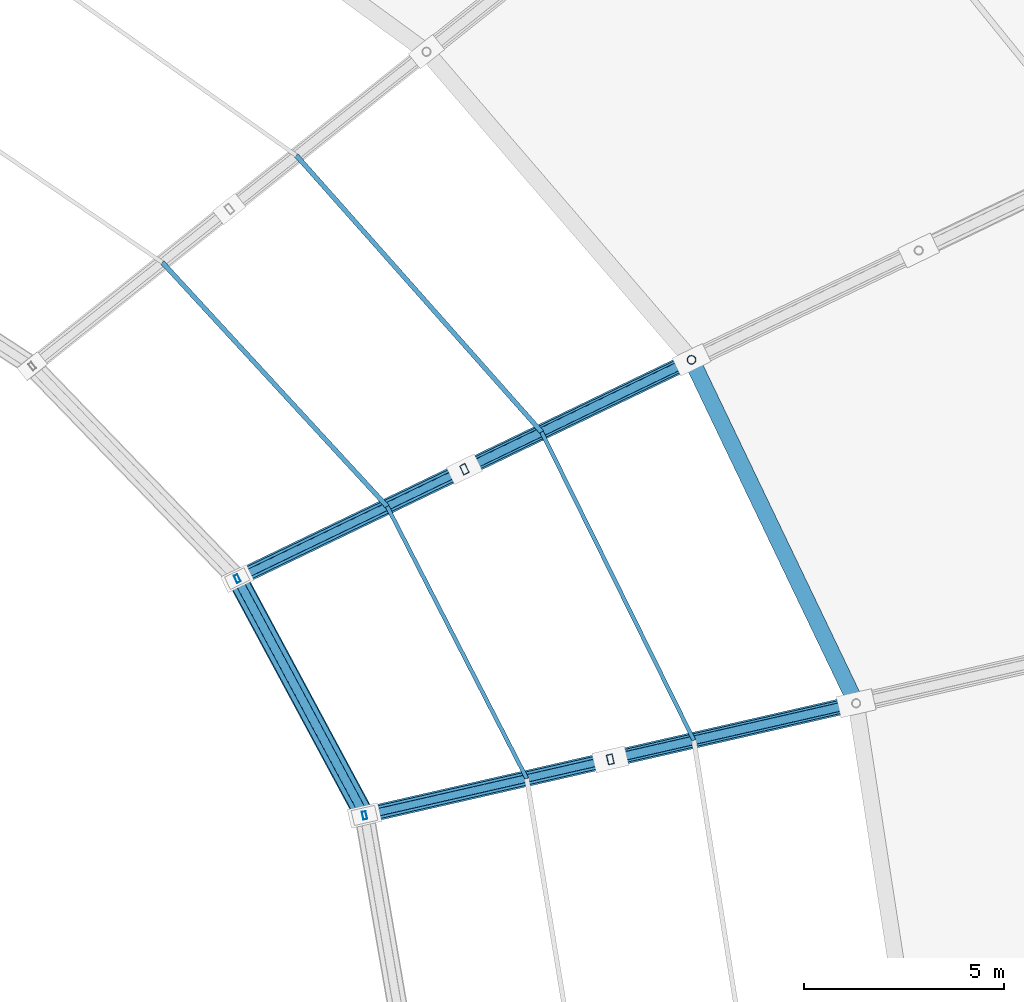
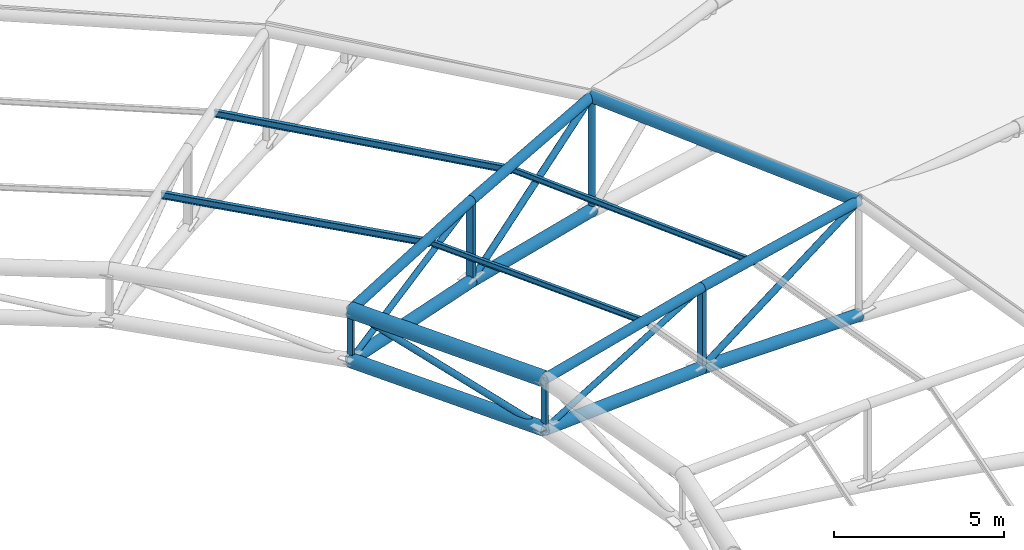
# One storey, part 72 of 108: 25 members.
"""IFC4 building model written with IfcOpenShell, lengths in metres."""

from ifc_helpers import new_model, si_unit, direction, frame, origin, origin_2d, place, context, subcontext, project, spatial, hollow_rectangle, hollow_circle, i_section, extrude, material, material_profile, profile_set, type_object, element, save


model = new_model("IFC4")

# Units and contexts
model_context = context("Model", 3, precision=1e-05, world=origin(), true_north=direction((0.0, 1.0)))
body_context = subcontext(model_context, "Body", "Model", "MODEL_VIEW")
ifc_project = project(units=[si_unit("LENGTHUNIT", "METRE"), si_unit("AREAUNIT", "SQUARE_METRE"), si_unit("VOLUMEUNIT", "CUBIC_METRE"), si_unit("PLANEANGLEUNIT", "RADIAN"), si_unit("MASSUNIT", "GRAM", prefix="KILO")], contexts=[model_context])

# Site, building, storey
site_placement = place(None, origin())
site = spatial("IfcSite", under=ifc_project, at=site_placement, CompositionType="ELEMENT")
building_placement = place(site_placement, origin())
building = spatial("IfcBuilding", under=site, at=building_placement, Name="Zevraka Park Crest Stadium", CompositionType="ELEMENT")
storey_placement = place(building_placement, frame((0.0, 0.0, 29.39990234375)))
storey = spatial("IfcBuildingStorey", under=building, at=storey_placement, Name="RF", CompositionType="ELEMENT", Elevation=29.39990234375)

# Members
ifc_material_1 = material(Name="Steel S355", Category="steel")
ifc_material_profile_1 = material_profile(ifc_material_1, i_section(OverallWidth=0.1201171875, OverallDepth=0.239990234375, WebThickness=0.006103515625, FlangeThickness=0.009765625, at=origin_2d()), Name="IPE 240")
ifc_profile_set_1 = profile_set([ifc_material_profile_1], Name="Steel S355")
member_type_1 = type_object("IfcMemberType", Name="PR01", PredefinedType="PURLIN", material=ifc_profile_set_1)
member_1_placement = place(storey_placement, frame((158.347900390625, 107.81201171875, 9.153076171875), z_axis=(-0.663562824721, 0.748120563578, 0.0), x_axis=(-0.748120563578, -0.663562824721, 0.0)))
element("IfcMember", 1, at=member_1_placement, inside=storey, type_object=member_type_1, Name="Canopy Roof Purlin PR01 INNER-03-1", PredefinedType="PURLIN", context=body_context, shape_type="SweptSolid", body=[
    extrude(i_section(OverallWidth=0.1201171875, OverallDepth=0.239990234375, WebThickness=0.006103515625, FlangeThickness=0.009765625, at=origin_2d()), origin(), (0.0, 0.0, 1.0), 9.236328125),
])
member_2_placement = place(storey_placement, frame((154.488037109375, 105.952880859375, 9.01708984375), z_axis=(-0.677613259557, 0.735418432236, 0.0), x_axis=(-0.735418432236, -0.677613259557, 0.0)))
element("IfcMember", 2, at=member_2_placement, inside=storey, type_object=member_type_1, Name="Canopy Roof Purlin PR01 INNER-03-2", PredefinedType="PURLIN", context=body_context, shape_type="SweptSolid", body=[
    extrude(i_section(OverallWidth=0.1201171875, OverallDepth=0.239990234375, WebThickness=0.006103515625, FlangeThickness=0.009765625, at=origin_2d()), origin(), (0.0, 0.0, 1.0), 8.290771484375),
])
ifc_material_2 = material(Name="Steel S355", Category="steel")
ifc_material_profile_2 = material_profile(ifc_material_2, i_section(OverallWidth=0.10009765625, OverallDepth=0.199951171875, WebThickness=0.005615234375, FlangeThickness=0.008544921875, at=origin_2d()), Name="IPE 200")
ifc_profile_set_2 = profile_set([ifc_material_profile_2], Name="Steel S355")
member_type_2 = type_object("IfcMemberType", Name="PR03", PredefinedType="PURLIN", material=ifc_profile_set_2)
member_3_placement = place(storey_placement, frame((162.152099609375, 100.10888671875, 9.173095703125), z_axis=(-0.442797799381, 0.896621496989, 0.0), x_axis=(-0.896621496989, -0.442797799381, 0.0)))
element("IfcMember", 3, at=member_3_placement, inside=storey, type_object=member_type_2, Name="Canopy Roof Purlin PR03 INNER-02-1", PredefinedType="PURLIN", context=body_context, shape_type="SweptSolid", body=[
    extrude(i_section(OverallWidth=0.10009765625, OverallDepth=0.199951171875, WebThickness=0.005615234375, FlangeThickness=0.008544921875, at=origin_2d()), origin(), (0.0, 0.0, 1.0), 8.59130859375),
])
member_4_placement = place(storey_placement, frame((157.97607421875, 99.156005859375, 9.037109375), z_axis=(-0.456571603889, 0.889686669858, 0.0), x_axis=(-0.889686669858, -0.456571603889, 0.0)))
element("IfcMember", 4, at=member_4_placement, inside=storey, type_object=member_type_2, Name="Canopy Roof Purlin PR03 INNER-02-2", PredefinedType="PURLIN", context=body_context, shape_type="SweptSolid", body=[
    extrude(i_section(OverallWidth=0.10009765625, OverallDepth=0.199951171875, WebThickness=0.005615234375, FlangeThickness=0.008544921875, at=origin_2d()), origin(), (0.0, 0.0, 1.0), 7.6396484375),
])
ifc_material_3 = material(Name="Steel S355", Category="steel")
ifc_material_profile_3 = material_profile(ifc_material_3, hollow_circle(Radius=0.25390625, WallThickness=0.030029296875, at=origin_2d()), Name="CHS 508.0x30")
ifc_profile_set_3 = profile_set([ifc_material_profile_3], Name="Steel S355")
member_type_3 = type_object("IfcMemberType", Name="TC01", PredefinedType="CHORD", material=ifc_profile_set_3)
member_5_placement = place(storey_placement, frame((153.922119140625, 98.23095703125, 9.0), z_axis=(-0.473358528997, 0.880869855896, 0.0), x_axis=(-0.880869855896, -0.473358528997, 0.0)))
element("IfcMember", 5, at=member_5_placement, inside=storey, type_object=member_type_3, Name="Roof Inner Oculus Compression-Tension Ring TC01 02", PredefinedType="CHORD", context=body_context, shape_type="SweptSolid", body=[
    extrude(hollow_circle(Radius=0.25390625, WallThickness=0.030029296875, at=origin_2d()), origin(), (0.0, 0.0, 1.0), 6.71826171875),
])
ifc_material_4 = material(Name="Steel S355", Category="steel")
ifc_material_profile_4 = material_profile(ifc_material_4, hollow_circle(Radius=0.228515625, WallThickness=0.02490234375, at=origin_2d()), Name="CHS 457.0x25")
ifc_profile_set_4 = profile_set([ifc_material_profile_4], Name="Steel S355")
member_type_4 = type_object("IfcMemberType", Name="TC02", PredefinedType="CHORD", material=ifc_profile_set_4)
member_6_placement = place(storey_placement, frame((153.922119140625, 98.23095703125, 7.2001953125), z_axis=(-0.473358528997, 0.880869855896, 0.0), x_axis=(-0.880869855896, -0.473358528997, 0.0)))
element("IfcMember", 6, at=member_6_placement, inside=storey, type_object=member_type_4, Name="Roof Inner Oculus Bottom Ring TC02 02", PredefinedType="CHORD", context=body_context, shape_type="SweptSolid", body=[
    extrude(hollow_circle(Radius=0.228515625, WallThickness=0.02490234375, at=origin_2d()), origin(), (0.0, 0.0, 1.0), 6.71826171875),
])
ifc_material_5 = material(Name="Steel S355", Category="steel")
ifc_material_profile_5 = material_profile(ifc_material_5, hollow_circle(Radius=0.203125, WallThickness=0.02001953125, at=origin_2d()), Name="CHS 406.4x20")
ifc_profile_set_5 = profile_set([ifc_material_profile_5], Name="Steel S355")
member_type_5 = type_object("IfcMemberType", Name="TC03", PredefinedType="CHORD", material=ifc_profile_set_5)
member_7_placement = place(storey_placement, frame((166.2060546875, 101.033935546875, 5.300048828125), z_axis=(-0.960397219196, -0.219198697536, 0.172014860867), x_axis=(0.222515433667, -0.974929167571, 0.0)))
element("IfcMember", 7, at=member_7_placement, inside=storey, type_object=member_type_5, Name="Roof Truss Bottom Chord TC03 T02-6", PredefinedType="CHORD", context=body_context, shape_type="SweptSolid", body=[
    extrude(hollow_circle(Radius=0.203125, WallThickness=0.02001953125, at=origin_2d()), origin(), (0.0, 0.0, 1.0), 6.395263671875),
])
member_8_placement = place(storey_placement, frame((160.06396484375, 99.632080078125, 6.400146484375), z_axis=(-0.967183906339, -0.22064111136, 0.12598726641), x_axis=(0.222413332215, -0.97495246533, 0.0)))
element("IfcMember", 8, at=member_8_placement, inside=storey, type_object=member_type_5, Name="Roof Truss Bottom Chord TC03 T02-7", PredefinedType="CHORD", context=body_context, shape_type="SweptSolid", body=[
    extrude(hollow_circle(Radius=0.203125, WallThickness=0.02001953125, at=origin_2d()), origin(), (0.0, 0.0, 1.0), 6.350341796875),
])
member_9_placement = place(storey_placement, frame((162.093994140625, 109.615966796875, 5.300048828125), z_axis=(-0.887511721766, -0.427474569243, 0.172012895964), x_axis=(0.433942615061, -0.900940512373, 0.0)))
element("IfcMember", 9, at=member_9_placement, inside=storey, type_object=member_type_5, Name="Roof Truss Bottom Chord TC03 T03-6", PredefinedType="CHORD", context=body_context, shape_type="SweptSolid", body=[
    extrude(hollow_circle(Radius=0.203125, WallThickness=0.02001953125, at=origin_2d()), origin(), (0.0, 0.0, 1.0), 6.3955078125),
])
member_10_placement = place(storey_placement, frame((156.41796875, 106.882080078125, 6.400146484375), z_axis=(-0.893807131385, -0.430391450637, 0.125984170052), x_axis=(0.433848244141, -0.900985960521, 0.0)))
element("IfcMember", 10, at=member_10_placement, inside=storey, type_object=member_type_5, Name="Roof Truss Bottom Chord TC03 T03-7", PredefinedType="CHORD", context=body_context, shape_type="SweptSolid", body=[
    extrude(hollow_circle(Radius=0.203125, WallThickness=0.02001953125, at=origin_2d()), origin(), (0.0, 0.0, 1.0), 6.350341796875),
])
member_11_placement = place(storey_placement, frame((166.2060546875, 101.033935546875, 9.400146484375), z_axis=(-0.432106270743, 0.901822693651, 0.0), x_axis=(-0.901822693651, -0.432106270743, 0.0)))
element("IfcMember", 11, at=member_11_placement, inside=storey, type_object=member_type_5, Name="Roof Canopy Arch Crown Ring Chord TC03 02", PredefinedType="CHORD", context=body_context, shape_type="SweptSolid", body=[
    extrude(hollow_circle(Radius=0.203125, WallThickness=0.02001953125, at=origin_2d()), origin(), (0.0, 0.0, 1.0), 9.516357421875),
])
ifc_material_6 = material(Name="Steel S355", Category="steel")
ifc_material_profile_6 = material_profile(ifc_material_6, hollow_circle(Radius=0.161865234375, WallThickness=0.01611328125, at=origin_2d()), Name="CHS 323.9x16")
ifc_profile_set_6 = profile_set([ifc_material_profile_6], Name="Steel S355")
member_type_6 = type_object("IfcMemberType", Name="TC04", PredefinedType="CHORD", material=ifc_profile_set_6)
member_12_placement = place(storey_placement, frame((166.2060546875, 101.033935546875, 9.400146484375), z_axis=(-0.974806134329, -0.222487352863, -0.015886418438), x_axis=(0.222515433667, -0.974929167571, 0.0)))
element("IfcMember", 12, at=member_12_placement, inside=storey, type_object=member_type_6, Name="Roof Truss Top Chord TC04 T02-6", PredefinedType="CHORD", context=body_context, shape_type="SweptSolid", body=[
    extrude(hollow_circle(Radius=0.161865234375, WallThickness=0.01611328125, at=origin_2d()), origin(), (0.0, 0.0, 1.0), 6.30078125),
])
member_13_placement = place(storey_placement, frame((160.06396484375, 99.632080078125, 9.300048828125), z_axis=(-0.973848467445, -0.222161480092, -0.047575615792), x_axis=(0.222413332215, -0.97495246533, 0.0)))
element("IfcMember", 13, at=member_13_placement, inside=storey, type_object=member_type_6, Name="Roof Truss Top Chord TC04 T02-7", PredefinedType="CHORD", context=body_context, shape_type="SweptSolid", body=[
    extrude(hollow_circle(Radius=0.161865234375, WallThickness=0.01611328125, at=origin_2d()), origin(), (0.0, 0.0, 1.0), 6.306884765625),
])
member_14_placement = place(storey_placement, frame((162.093994140625, 109.615966796875, 9.400146484375), z_axis=(-0.900826818961, -0.433887854047, -0.015886231484), x_axis=(0.433942615061, -0.900940512373, 0.0)))
element("IfcMember", 14, at=member_14_placement, inside=storey, type_object=member_type_6, Name="Roof Truss Top Chord TC04 T03-6", PredefinedType="CHORD", context=body_context, shape_type="SweptSolid", body=[
    extrude(hollow_circle(Radius=0.161865234375, WallThickness=0.01611328125, at=origin_2d()), origin(), (0.0, 0.0, 1.0), 6.301025390625),
])
member_15_placement = place(storey_placement, frame((156.41796875, 106.882080078125, 9.300048828125), z_axis=(-0.899965770272, -0.433356995922, -0.04757443037), x_axis=(0.433848244141, -0.900985960521, 0.0)))
element("IfcMember", 15, at=member_15_placement, inside=storey, type_object=member_type_6, Name="Roof Truss Top Chord TC04 T03-7", PredefinedType="CHORD", context=body_context, shape_type="SweptSolid", body=[
    extrude(hollow_circle(Radius=0.161865234375, WallThickness=0.01611328125, at=origin_2d()), origin(), (0.0, 0.0, 1.0), 6.306884765625),
])
ifc_material_7 = material(Name="Steel S355", Category="steel")
ifc_material_profile_7 = material_profile(ifc_material_7, hollow_circle(Radius=0.109619140625, WallThickness=0.010009765625, at=origin_2d()), Name="CHS 219.1x10")
ifc_profile_set_7 = profile_set([ifc_material_profile_7], Name="Steel S355")
member_type_7 = type_object("IfcMemberType", Name="WB02", PredefinedType="BRACE", material=ifc_profile_set_7)
member_16_placement = place(storey_placement, frame((160.06396484375, 99.632080078125, 6.400146484375), z_axis=(0.880226010017, 0.200900618074, 0.429931521229), x_axis=(-0.222515433667, 0.974929167571, 0.0)))
element("IfcMember", 16, at=member_16_placement, inside=storey, type_object=member_type_7, Name="Roof Truss Web Diagonal WB02 T02-6", PredefinedType="BRACE", context=body_context, shape_type="SweptSolid", body=[
    extrude(hollow_circle(Radius=0.109619140625, WallThickness=0.010009765625, at=origin_2d()), origin(), (0.0, 0.0, 1.0), 6.977783203125),
])
member_17_placement = place(storey_placement, frame((162.093994140625, 109.615966796875, 5.300048828125), z_axis=(0.0, 0.0, 1.0), x_axis=(0.90100131981, 0.43381634559, 0.0)))
element("IfcMember", 17, at=member_17_placement, inside=storey, type_object=member_type_7, Name="Roof Truss Web Post WB02 T03-5", PredefinedType="BRACE", context=body_context, shape_type="SweptSolid", body=[
    extrude(hollow_circle(Radius=0.109619140625, WallThickness=0.010009765625, at=origin_2d()), origin(), (0.0, 0.0, 1.0), 4.10009765625),
])
member_18_placement = place(storey_placement, frame((156.41796875, 106.882080078125, 6.400146484375), z_axis=(0.813426271688, 0.391790932529, 0.429927395866), x_axis=(-0.433942615061, 0.900940512373, 0.0)))
element("IfcMember", 18, at=member_18_placement, inside=storey, type_object=member_type_7, Name="Roof Truss Web Diagonal WB02 T03-6", PredefinedType="BRACE", context=body_context, shape_type="SweptSolid", body=[
    extrude(hollow_circle(Radius=0.109619140625, WallThickness=0.010009765625, at=origin_2d()), origin(), (0.0, 0.0, 1.0), 6.97802734375),
])
member_19_placement = place(storey_placement, frame((153.922119140625, 98.23095703125, 7.2001953125), z_axis=(-0.457235432821, 0.850866489451, 0.258770122122), x_axis=(-0.880869855896, -0.473358528997, 0.0)))
element("IfcMember", 19, at=member_19_placement, inside=storey, type_object=member_type_7, Name="Roof Oculus Ring Brace WB02 02", PredefinedType="BRACE", context=body_context, shape_type="SweptSolid", body=[
    extrude(hollow_circle(Radius=0.109619140625, WallThickness=0.010009765625, at=origin_2d()), origin(), (0.0, 0.0, 1.0), 6.955322265625),
])
ifc_material_8 = material(Name="Steel S355", Category="steel")
ifc_material_profile_8 = material_profile(ifc_material_8, hollow_rectangle(XDim=0.14990234375, YDim=0.25, WallThickness=0.010009765625, at=origin_2d()), Name="RHS 250x150x10")
ifc_profile_set_8 = profile_set([ifc_material_profile_8], Name="Steel S355")
member_type_8 = type_object("IfcMemberType", Name="WB04", PredefinedType="BRACE", material=ifc_profile_set_8)
for number, where, z_axis, x_axis, name in (
    (20, (160.06396484375, 99.632080078125, 6.400146484375), (0.0, 0.0, 1.0), (0.974916814618, 0.222569549971, 0.0), "Roof Truss Web Post WB04 T02-6"),
    (21, (156.41796875, 106.882080078125, 6.400146484375), (0.0, 0.0, 1.0), (0.90100131981, 0.43381634559, 0.0), "Roof Truss Web Post WB04 T03-6"),
):
    element("IfcMember", number, at=place(storey_placement, frame(where, z_axis=z_axis, x_axis=x_axis)), inside=storey, type_object=member_type_8, Name=name, PredefinedType="BRACE", context=body_context, shape_type="SweptSolid", body=[
        extrude(hollow_rectangle(XDim=0.14990234375, YDim=0.25, WallThickness=0.010009765625, at=origin_2d()), origin(), (0.0, 0.0, 1.0), 2.89990234375),
    ])
ifc_material_9 = material(Name="Steel S355", Category="steel")
ifc_material_profile_9 = material_profile(ifc_material_9, hollow_rectangle(XDim=0.10009765625, YDim=0.199951171875, WallThickness=0.008056640625, at=origin_2d()), Name="RHS 200x100x8")
ifc_profile_set_9 = profile_set([ifc_material_profile_9], Name="Steel S355")
member_type_9 = type_object("IfcMemberType", Name="WB05", PredefinedType="BRACE", material=ifc_profile_set_9)
for number, where, z_axis, x_axis, name in (
    (22, (153.922119140625, 98.23095703125, 7.2001953125), (0.0, 0.0, 1.0), (0.974916814618, 0.222569549971, 0.0), "Roof Truss Web Post WB05 T02-7"),
    (23, (150.741943359375, 104.14892578125, 7.2001953125), (0.0, 0.0, 1.0), (0.90100131981, 0.43381634559, 0.0), "Roof Truss Web Post WB05 T03-7"),
):
    element("IfcMember", number, at=place(storey_placement, frame(where, z_axis=z_axis, x_axis=x_axis)), inside=storey, type_object=member_type_9, Name=name, PredefinedType="BRACE", context=body_context, shape_type="SweptSolid", body=[
        extrude(hollow_rectangle(XDim=0.10009765625, YDim=0.199951171875, WallThickness=0.008056640625, at=origin_2d()), origin(), (0.0, 0.0, 1.0), 1.7998046875),
    ])
ifc_material_10 = material(Name="Steel S355", Category="steel")
ifc_material_profile_10 = material_profile(ifc_material_10, hollow_circle(Radius=0.096923828125, WallThickness=0.010009765625, at=origin_2d()), Name="CHS 193.7x10")
ifc_profile_set_10 = profile_set([ifc_material_profile_10], Name="Steel S355")
member_type_10 = type_object("IfcMemberType", Name="WB08", PredefinedType="BRACE", material=ifc_profile_set_10)
member_20_placement = place(storey_placement, frame((153.922119140625, 98.23095703125, 7.2001953125), z_axis=(0.924922228877, 0.211000066444, 0.316224354675), x_axis=(-0.222413332215, 0.97495246533, 0.0)))
element("IfcMember", 24, at=member_20_placement, inside=storey, type_object=member_type_10, Name="Roof Truss Web Diagonal WB08 T02-7", PredefinedType="BRACE", context=body_context, shape_type="SweptSolid", body=[
    extrude(hollow_circle(Radius=0.096923828125, WallThickness=0.010009765625, at=origin_2d()), origin(), (0.0, 0.0, 1.0), 6.640380859375),
])
member_21_placement = place(storey_placement, frame((150.741943359375, 104.14892578125, 7.2001953125), z_axis=(0.854753491558, 0.411586104262, 0.316217247232), x_axis=(-0.433848244141, 0.900985960521, 0.0)))
element("IfcMember", 25, at=member_21_placement, inside=storey, type_object=member_type_10, Name="Roof Truss Web Diagonal WB08 T03-7", PredefinedType="BRACE", context=body_context, shape_type="SweptSolid", body=[
    extrude(hollow_circle(Radius=0.096923828125, WallThickness=0.010009765625, at=origin_2d()), origin(), (0.0, 0.0, 1.0), 6.640625),
])

save(model, "model.ifc")
